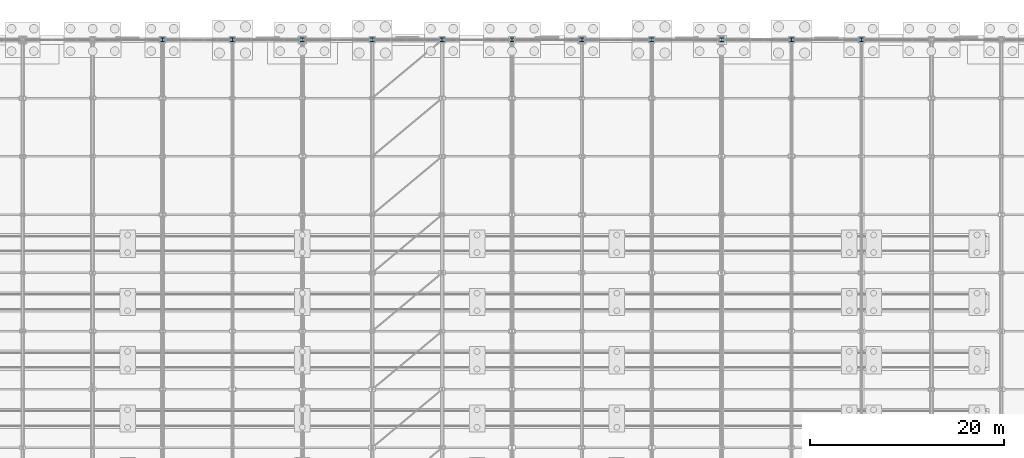
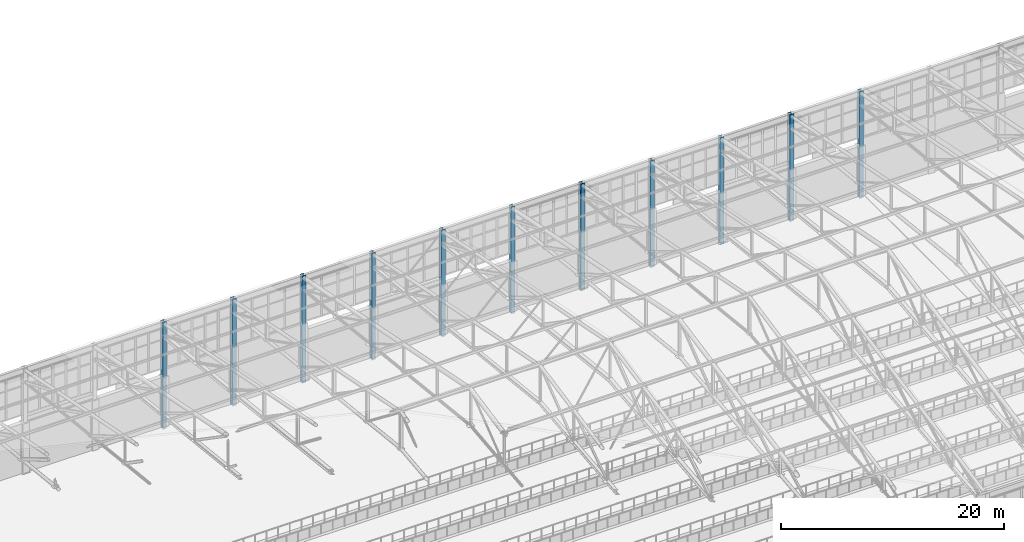
# One storey, part 37 of 293: 11 columns.
"""IFC4 building model written with IfcOpenShell, lengths in metres."""

import ifcopenshell
import ifcopenshell.guid

model = None  # the IFC model being written
_history = None  # IfcOwnerHistory: only IFC2X3 demands one
_inside = {}  # id of a spatial element -> (the spatial element, [elements in it])
_under = {}  # id of a project, library or spatial element -> (it, [spatial elements below it])
_declared = {}  # id of a project -> (the project, [libraries it declares])
_typed = {}  # id of a type object -> (the type object, [elements of that type])
_made_of = {}  # id of a material, layer set ... -> (it, [elements and type objects made of it])


def new_model(schema):
    """Start an empty IFC model of exactly this schema.

    Asked for "IFC4X3", IfcOpenShell would pick the latest addendum, in which some entities
    have other attributes; the version numbers below select the first issue.
    IFC2X3 requires an IfcOwnerHistory on every rooted entity: one is made here for all.
    """
    global model, _history
    if schema == "IFC4X3":
        model = ifcopenshell.file(schema_version=(4, 3, 0, 0))
    else:
        model = ifcopenshell.file(schema=schema)
    _inside.clear()
    _under.clear()
    _declared.clear()
    _typed.clear()
    _made_of.clear()
    _history = None
    if model.schema == "IFC2X3":
        org = make("IfcOrganization", Name="unknown")
        user = make(
            "IfcPersonAndOrganization",
            ThePerson=make("IfcPerson", FamilyName="unknown"),
            TheOrganization=org,
        )
        app = make(
            "IfcApplication",
            ApplicationDeveloper=org,
            Version="unknown",
            ApplicationFullName="unknown",
            ApplicationIdentifier="unknown",
        )
        _history = make(
            "IfcOwnerHistory",
            OwningUser=user,
            OwningApplication=app,
            ChangeAction="ADDED",
            CreationDate=0,
        )
    return model


def make(cls, **values):
    """One entity of the class cls with the attributes given. An attribute that is None is left unset."""
    return model.create_entity(
        cls, **{name: value for name, value in values.items() if value is not None}
    )


def rooted(cls, **values):
    """An entity with a GlobalId (a new one), such as an element, a storey or a relation."""
    return make(cls, GlobalId=ifcopenshell.guid.new(), OwnerHistory=_history, **values)


def si_unit(unit_type, name, prefix=None):
    """IfcSIUnit, for example si_unit("LENGTHUNIT", "METRE", prefix="MILLI")."""
    return make("IfcSIUnit", UnitType=unit_type, Prefix=prefix, Name=name)


def assignment(units):
    """IfcUnitAssignment: the units of a project."""
    return None if units is None else make("IfcUnitAssignment", Units=units)


def point(xyz):
    """IfcCartesianPoint."""
    return None if xyz is None else make("IfcCartesianPoint", Coordinates=xyz)


def direction(xyz):
    """IfcDirection."""
    return None if xyz is None else make("IfcDirection", DirectionRatios=xyz)


def frame(location, z_axis=None, x_axis=None):
    """IfcAxis2Placement3D, a coordinate frame: its origin and axes. An axis left out is left unset."""
    return make(
        "IfcAxis2Placement3D",
        Location=point(location),
        Axis=direction(z_axis),
        RefDirection=direction(x_axis),
    )


def frame_2d(location, x_axis=None):
    """IfcAxis2Placement2D, a coordinate frame in the plane: its origin and x axis."""
    return make(
        "IfcAxis2Placement2D", Location=point(location), RefDirection=direction(x_axis)
    )


def origin():
    """The frame at (0, 0, 0) with its axes left unset."""
    return frame((0.0, 0.0, 0.0))


def origin_2d():
    """The frame at (0, 0) in the plane with its x axis left unset."""
    return frame_2d((0.0, 0.0))


def place(relative_to, where):
    """IfcLocalPlacement: puts the frame where relative to a parent placement (None: the world)."""
    return make(
        "IfcLocalPlacement", PlacementRelTo=relative_to, RelativePlacement=where
    )


def context(
    kind, dimensions, precision=None, world=None, true_north=None, identifier=None
):
    """IfcGeometricRepresentationContext, for example the 3D "Model" context."""
    return make(
        "IfcGeometricRepresentationContext",
        ContextIdentifier=identifier,
        ContextType=kind,
        CoordinateSpaceDimension=dimensions,
        Precision=precision,
        WorldCoordinateSystem=world,
        TrueNorth=true_north,
    )


def subcontext(parent, identifier, kind, view, scale=None):
    """IfcGeometricRepresentationSubContext, for example "Body" below "Model"."""
    return make(
        "IfcGeometricRepresentationSubContext",
        ContextIdentifier=identifier,
        ContextType=kind,
        ParentContext=parent,
        TargetScale=scale,
        TargetView=view,
    )


def project(units=None, contexts=None):
    """IfcProject with its units and contexts."""
    return rooted(
        "IfcProject",
        Name="project",
        RepresentationContexts=contexts,
        UnitsInContext=assignment(units),
    )


def spatial(cls, under=None, at=None, **own):
    """A site, building, storey or space (cls), placed at a placement, below another one or the project."""
    s = rooted(cls, ObjectPlacement=at, **own)
    if under is not None:
        _under.setdefault(under.id(), (under, []))[1].append(s)
    return s


def profile(cls, at=None, kind="AREA", **sizes):
    """A parametric profile (cls). Its sizes go by their IFC names, for example OverallWidth=200.0."""
    return make(cls, ProfileType=kind, Position=at, **sizes)


def i_section(**sizes):
    """IfcIShapeProfileDef."""
    return profile("IfcIShapeProfileDef", **sizes)


def extrude(swept, where, along, depth):
    """IfcExtrudedAreaSolid: the profile swept, set in the frame where, extruded along a direction by depth."""
    return make(
        "IfcExtrudedAreaSolid",
        SweptArea=swept,
        Position=where,
        ExtrudedDirection=direction(along),
        Depth=depth,
    )


def shape(context_of_items, identifier, shape_type, items):
    """IfcShapeRepresentation: the items that make up one representation, for example the "Body"."""
    return make(
        "IfcShapeRepresentation",
        ContextOfItems=context_of_items,
        RepresentationIdentifier=identifier,
        RepresentationType=shape_type,
        Items=items,
    )


def material(Name=None, Category=None):
    """IfcMaterial."""
    return make("IfcMaterial", Name=Name, Category=Category)


def material_profile(
    of_material, cross_section, Name=None, Category=None, Priority=None
):
    """IfcMaterialProfile: a cross section and its material."""
    return make(
        "IfcMaterialProfile",
        Name=Name,
        Material=of_material,
        Profile=cross_section,
        Priority=Priority,
        Category=Category,
    )


def profile_set(profiles, Name=None, composite=None):
    """IfcMaterialProfileSet."""
    return make(
        "IfcMaterialProfileSet",
        Name=Name,
        MaterialProfiles=profiles,
        CompositeProfile=composite,
    )


def made_of(thing, what):
    """Note that an element or type object is made of a material, layer set ...; save() writes the relation."""
    if what is not None:
        _made_of.setdefault(what.id(), (what, []))[1].append(thing)
    return thing


def type_object(cls, material=None, **own):
    """A type object (cls), such as IfcWallType, which elements share."""
    return made_of(rooted(cls, **own), material)


def element(
    cls,
    number,
    at=None,
    inside=None,
    cuts=None,
    type_object=None,
    material=None,
    context=None,
    identifier="Body",
    shape_type=None,
    held_by="IfcProductDefinitionShape",
    body=None,
    shapes=None,
    **own,
):
    """One element of the class cls, such as IfcWall. Its Tag is "e" and its number.

    at: its placement. inside: the storey or other place that contains it. cuts: it is an
    opening in that element (IfcRelVoidsElement). A single representation is given by context,
    identifier, shape_type and body (its items); several are given by shapes. held_by: the class
    of the entity that holds the representations. save() writes the other relations.
    """
    e = rooted(cls, Tag="e%d" % number, ObjectPlacement=at, **own)
    if body is not None:
        shapes = [shape(context, identifier, shape_type, body)]
    if shapes is not None:
        e.Representation = make(held_by, Representations=shapes)
    if inside is not None:
        _inside.setdefault(inside.id(), (inside, []))[1].append(e)
    if cuts is not None:
        rooted(
            "IfcRelVoidsElement", RelatingBuildingElement=cuts, RelatedOpeningElement=e
        )
    if type_object is not None:
        _typed.setdefault(type_object.id(), (type_object, []))[1].append(e)
    return made_of(e, material)


def aggregate(whole, parts):
    """IfcRelAggregates: a whole, such as a stair, and the parts it consists of."""
    return rooted("IfcRelAggregates", RelatingObject=whole, RelatedObjects=parts)


def save(model, path):
    """Write the relations noted so far, then the file.

    IfcRelAggregates (storeys below a building ...), IfcRelContainedInSpatialStructure (elements
    in a storey), IfcRelDefinesByType, IfcRelAssociatesMaterial and IfcRelDeclares: one each for
    every whole, place, type object, material and project.
    """
    for whole, parts in _under.values():
        aggregate(whole, parts)
    for where, things in _inside.values():
        rooted(
            "IfcRelContainedInSpatialStructure",
            RelatedElements=things,
            RelatingStructure=where,
        )
    for kind, things in _typed.values():
        rooted("IfcRelDefinesByType", RelatedObjects=things, RelatingType=kind)
    for what, things in _made_of.values():
        rooted("IfcRelAssociatesMaterial", RelatedObjects=things, RelatingMaterial=what)
    for by, libraries in _declared.values():
        rooted("IfcRelDeclares", RelatingContext=by, RelatedDefinitions=libraries)
    model.write(path)


model = new_model("IFC4")

# Units and contexts
model_context = context("Model", 3, precision=1e-05, world=origin(), true_north=direction((0.0, 1.0)))
body_context = subcontext(model_context, "Body", "Model", "MODEL_VIEW")
ifc_project = project(units=[si_unit("LENGTHUNIT", "METRE"), si_unit("AREAUNIT", "SQUARE_METRE"), si_unit("VOLUMEUNIT", "CUBIC_METRE"), si_unit("PLANEANGLEUNIT", "RADIAN"), si_unit("MASSUNIT", "GRAM", prefix="KILO")], contexts=[model_context])

# Site, building, storey
site_placement = place(None, origin())
site = spatial("IfcSite", under=ifc_project, at=site_placement, CompositionType="ELEMENT")
building_placement = place(site_placement, origin())
building = spatial("IfcBuilding", under=site, at=building_placement, Name="Kemerveld Promenade Tramway Depot", CompositionType="ELEMENT")
storey_placement = place(building_placement, origin())
storey = spatial("IfcBuildingStorey", under=building, at=storey_placement, Name="L00", CompositionType="ELEMENT", Elevation=0.0)

# Columns
ifc_material = material(Name="Steel S355", Category="steel")
ifc_material_profile = material_profile(ifc_material, i_section(OverallWidth=0.403076171875, OverallDepth=0.406494140625, WebThickness=0.026611328125, FlangeThickness=0.04296875, FilletRadius=0.01513671875, at=origin_2d()), Name="356x406x340 UC")
ifc_profile_set = profile_set([ifc_material_profile], Name="Steel S355")
column_type = type_object("IfcColumnType", Name="COL-S01", PredefinedType="COLUMN", material=ifc_profile_set)
for number, where, z_axis, x_axis, name in (
    (1, (86.39990234375, 144.0, -0.300048828125), (0.0, 0.0, 1.0), (1.0, 0.0, 0.0), "COL-L00-13-U"),
    (2, (93.60009765625, 144.0, -0.300048828125), (0.0, 0.0, 1.0), (1.0, 0.0, 0.0), "COL-L00-14-U"),
    (3, (100.800048828125, 144.0, -0.300048828125), (0.0, 0.0, 1.0), (1.0, 0.0, 0.0), "COL-L00-15-U"),
    (4, (108.0, 144.0, -0.300048828125), (0.0, 0.0, 1.0), (1.0, 0.0, 0.0), "COL-L00-16-U"),
    (5, (115.199951171875, 144.0, -0.300048828125), (0.0, 0.0, 1.0), (1.0, 0.0, 0.0), "COL-L00-17-U"),
    (6, (122.39990234375, 144.0, -0.300048828125), (0.0, 0.0, 1.0), (1.0, 0.0, 0.0), "COL-L00-18-U"),
    (7, (129.60009765625, 144.0, -0.300048828125), (0.0, 0.0, 1.0), (1.0, 0.0, 0.0), "COL-L00-19-U"),
    (8, (136.800048828125, 144.0, -0.300048828125), (0.0, 0.0, 1.0), (1.0, 0.0, 0.0), "COL-L00-20-U"),
    (9, (144.0, 144.0, -0.300048828125), (0.0, 0.0, 1.0), (1.0, 0.0, 0.0), "COL-L00-21-U"),
    (10, (151.199951171875, 144.0, -0.300048828125), (0.0, 0.0, 1.0), (1.0, 0.0, 0.0), "COL-L00-22-U"),
    (11, (158.39990234375, 144.0, -0.300048828125), (0.0, 0.0, 1.0), (1.0, 0.0, 0.0), "COL-L00-23-U"),
):
    element("IfcColumn", number, at=place(storey_placement, frame(where, z_axis=z_axis, x_axis=x_axis)), inside=storey, type_object=column_type, Name=name, PredefinedType="COLUMN", context=body_context, shape_type="SweptSolid", body=[
        extrude(i_section(OverallWidth=0.403076171875, OverallDepth=0.406494140625, WebThickness=0.026611328125, FlangeThickness=0.04296875, FilletRadius=0.01513671875, at=origin_2d()), origin(), (0.0, 0.0, 1.0), 11.699951171875),
    ])

save(model, "model.ifc")
